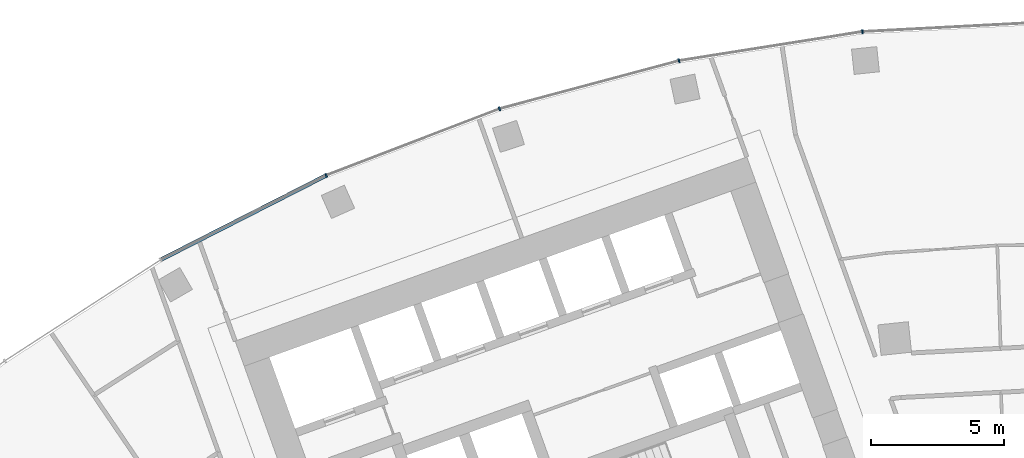
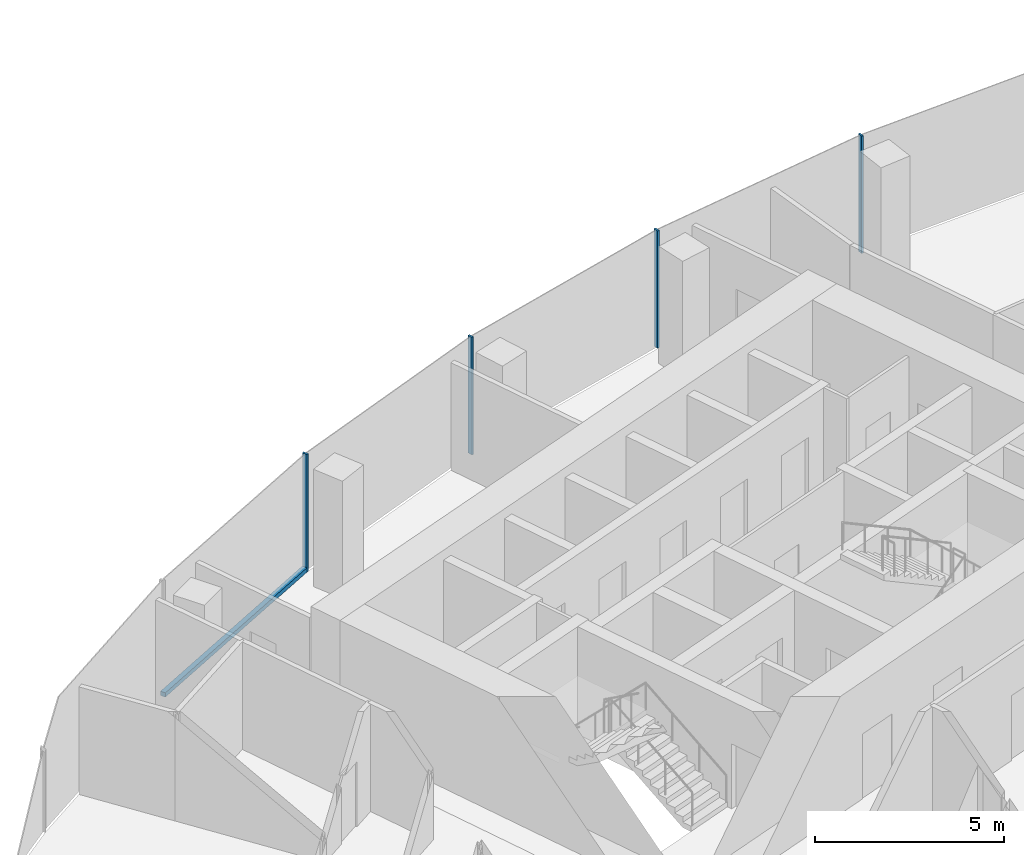
# One storey, part 5 of 19: 5 members, 1 element without a shape of its own.
"""IFC4 building model written with IfcOpenShell, lengths in metres."""

from ifc_helpers import new_model, si_unit, direction, frame, origin, origin_2d, place, context, subcontext, project, spatial, rectangle, extrude, material, layer, layer_set, material_profile, profile_set, type_object, element, aggregate, save


model = new_model("IFC4")

# Units and contexts
model_context = context("Model", 3, precision=1e-05, world=origin(), true_north=direction((0.0, 1.0)))
body_context = subcontext(model_context, "Body", "Model", "MODEL_VIEW")
ifc_project = project(units=[si_unit("LENGTHUNIT", "METRE"), si_unit("AREAUNIT", "SQUARE_METRE"), si_unit("VOLUMEUNIT", "CUBIC_METRE"), si_unit("PLANEANGLEUNIT", "RADIAN"), si_unit("MASSUNIT", "GRAM", prefix="KILO")], contexts=[model_context])

# Site, building, storey
site_placement = place(None, origin())
site = spatial("IfcSite", under=ifc_project, at=site_placement, CompositionType="ELEMENT")
building_placement = place(site_placement, origin())
building = spatial("IfcBuilding", under=site, at=building_placement, Name="Stone Belt Terrace Tower", CompositionType="ELEMENT")
storey_placement = place(building_placement, frame((0.0, 0.0, 208.60009765625)))
storey = spatial("IfcBuildingStorey", under=building, at=storey_placement, Name="L50", CompositionType="ELEMENT", Elevation=208.60009765625)

# Curtain wall, members
ifc_material = material(Name="Aluminium 6063-T6 anodised frame", Category="aluminium")
ifc_layer = layer(ifc_material, 0.14990234375)
ifc_layer_set = layer_set([ifc_layer], Name="CW-A unitised convex-face curtain wall")
curtain_wall_type = type_object("IfcCurtainWallType", Name="CW-A unitised convex-face curtain wall", PredefinedType="NOTDEFINED", material=ifc_layer_set)
curtain_wall_placement = place(storey_placement, origin())
curtain_wall = element("IfcCurtainWall", 1, at=curtain_wall_placement, inside=storey, type_object=curtain_wall_type, Name="CW-A convex face L50", PredefinedType="NOTDEFINED")
ifc_material_profile_1 = material_profile(ifc_material, rectangle(XDim=0.14990234375, YDim=0.06005859375, at=origin_2d()), Name="Aluminium 6063-T6 60x150")
ifc_profile_set_1 = profile_set([ifc_material_profile_1], Name="Aluminium 6063-T6 anodised frame")
member_type_1 = type_object("IfcMemberType", Name="CW-A mullion 60 x 150", PredefinedType="MULLION", material=ifc_profile_set_1)
member_1_placement = place(storey_placement, frame((-6.958984375, 66.21044921875, 0.0), z_axis=(0.0, 0.0, 1.0), x_axis=(0.104528463268, -0.994521895368, 0.0)))
member_1 = element("IfcMember", 2, at=member_1_placement, type_object=member_type_1, Name="CW-A mullion 10", PredefinedType="MULLION", context=body_context, shape_type="SweptSolid", body=[
    extrude(rectangle(XDim=0.14990234375, YDim=0.06005859375, at=origin_2d()), origin(), (0.0, 0.0, 1.0), 3.7998046875),
])
member_2_placement = place(storey_placement, frame((-13.841796875, 65.120361328125, 0.0), z_axis=(0.0, 0.0, 1.0), x_axis=(0.207911690818, -0.978147600734, 0.0)))
member_2 = element("IfcMember", 3, at=member_2_placement, type_object=member_type_1, Name="CW-A mullion 11", PredefinedType="MULLION", context=body_context, shape_type="SweptSolid", body=[
    extrude(rectangle(XDim=0.14990234375, YDim=0.06005859375, at=origin_2d()), origin(), (0.0, 0.0, 1.0), 3.7998046875),
])
member_3_placement = place(storey_placement, frame((-20.57275390625, 63.316650390625, 0.0), z_axis=(0.0, 0.0, 1.0), x_axis=(0.309016994375, -0.951056516295, 0.0)))
member_3 = element("IfcMember", 4, at=member_3_placement, type_object=member_type_1, Name="CW-A mullion 12", PredefinedType="MULLION", context=body_context, shape_type="SweptSolid", body=[
    extrude(rectangle(XDim=0.14990234375, YDim=0.06005859375, at=origin_2d()), origin(), (0.0, 0.0, 1.0), 3.7998046875),
])
member_4_placement = place(storey_placement, frame((-27.07861328125, 60.8193359375, 0.0), z_axis=(0.0, 0.0, 1.0), x_axis=(0.406736643076, -0.913545457643, 0.0)))
member_4 = element("IfcMember", 5, at=member_4_placement, type_object=member_type_1, Name="CW-A mullion 13", PredefinedType="MULLION", context=body_context, shape_type="SweptSolid", body=[
    extrude(rectangle(XDim=0.14990234375, YDim=0.06005859375, at=origin_2d()), origin(), (0.0, 0.0, 1.0), 3.7998046875),
])
ifc_material_profile_2 = material_profile(ifc_material, rectangle(XDim=0.14990234375, YDim=0.139892578125, at=origin_2d()), Name="Aluminium 6063-T6 150x140")
ifc_profile_set_2 = profile_set([ifc_material_profile_2], Name="Aluminium 6063-T6 anodised frame")
member_type_2 = type_object("IfcMemberType", Name="CW-A transom 140 x 150", PredefinedType="USERDEFINED", material=ifc_profile_set_2)
member_5_placement = place(storey_placement, frame((-27.108642578125, 60.803955078125, 0.06982421875), z_axis=(-0.891012226264, -0.453979308613, 0.0), x_axis=(0.453979308613, -0.891012226264, 0.0)))
member_5 = element("IfcMember", 6, at=member_5_placement, type_object=member_type_2, Name="CW-A transom 13.1", ObjectType="TRANSOM", PredefinedType="USERDEFINED", context=body_context, shape_type="SweptSolid", body=[
    extrude(rectangle(XDim=0.14990234375, YDim=0.139892578125, at=origin_2d()), origin(), (0.0, 0.0, 1.0), 6.90087890625),
])
aggregate(curtain_wall, [member_1, member_2, member_3, member_4, member_5])

save(model, "model.ifc")
